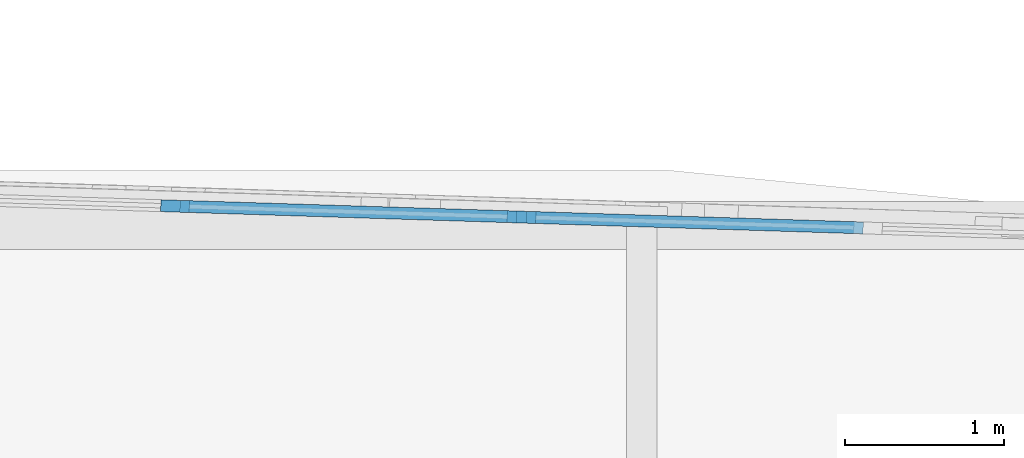
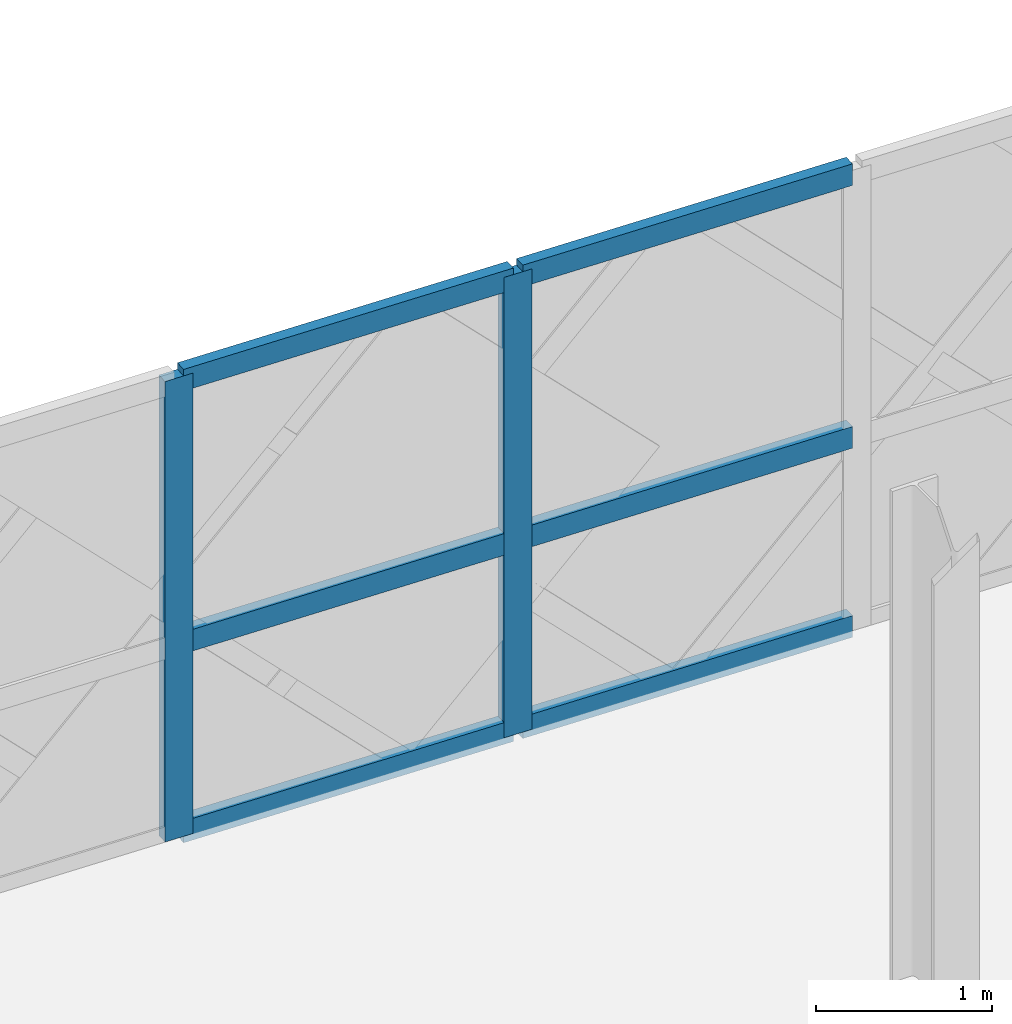
# One storey, part 11 of 26: 8 members, 1 element without a shape of its own.
"""IFC4 building model written with IfcOpenShell, lengths in metres."""

from ifc_helpers import new_model, si_unit, direction, frame, origin, origin_2d, place, context, subcontext, project, spatial, rectangle, extrude, material, layer, layer_set, material_profile, profile_set, type_object, element, aggregate, save


model = new_model("IFC4")

# Units and contexts
model_context = context("Model", 3, precision=1e-05, world=origin(), true_north=direction((0.0, 1.0)))
body_context = subcontext(model_context, "Body", "Model", "MODEL_VIEW")
ifc_project = project(units=[si_unit("LENGTHUNIT", "METRE"), si_unit("AREAUNIT", "SQUARE_METRE"), si_unit("VOLUMEUNIT", "CUBIC_METRE"), si_unit("PLANEANGLEUNIT", "RADIAN"), si_unit("MASSUNIT", "GRAM", prefix="KILO")], contexts=[model_context])

# Site, building, storey
site_placement = place(None, origin())
site = spatial("IfcSite", under=ifc_project, at=site_placement, CompositionType="ELEMENT")
building_placement = place(site_placement, origin())
building = spatial("IfcBuilding", under=site, at=building_placement, Name="Zevrakil Square Congress Hotel", CompositionType="ELEMENT")
storey_placement = place(building_placement, frame((0.0, 0.0, 24.89990234375)))
storey = spatial("IfcBuildingStorey", under=building, at=storey_placement, Name="L07", CompositionType="ELEMENT", Elevation=24.89990234375)

# Curtain wall, members
ifc_material_1 = material(Name="Aluminium Anodised Bronze", Category="aluminium")
ifc_layer = layer(ifc_material_1, 0.179931640625)
ifc_layer_set = layer_set([ifc_layer], Name="Aluminium Anodised Bronze")
curtain_wall_type = type_object("IfcCurtainWallType", Name="CW-L07-900", PredefinedType="USERDEFINED", material=ifc_layer_set)
curtain_wall_placement = place(storey_placement, origin())
curtain_wall = element("IfcCurtainWall", 1, at=curtain_wall_placement, inside=storey, type_object=curtain_wall_type, Name="L07 diamond curtain wall CW-L07-0226", ObjectType="GLAZED CURTAIN WALL", PredefinedType="USERDEFINED")
ifc_material_2 = material(Name="Aluminium Anodised Bronze", Category="aluminium")
ifc_material_profile_1 = material_profile(ifc_material_2, rectangle(XDim=0.074951171875, YDim=0.14990234375, at=origin_2d()), Name="ALU 75x150")
ifc_profile_set_1 = profile_set([ifc_material_profile_1], Name="Aluminium Anodised Bronze")
member_type_1 = type_object("IfcMemberType", Name="CWM-ALU75x150", PredefinedType="USERDEFINED", material=ifc_profile_set_1)
member_1_placement = place(storey_placement, frame((150.1953125, 48.98486328125, 0.030029296875), z_axis=(-0.999500114685, 0.031615198015, 0.0), x_axis=(-0.031615198015, -0.999500114685, 0.0)))
member_1 = element("IfcMember", 2, at=member_1_placement, type_object=member_type_1, Name="CW-84 transom 2.1", ObjectType="TRANSOM", PredefinedType="USERDEFINED", context=body_context, shape_type="SweptSolid", body=[
    extrude(rectangle(XDim=0.074951171875, YDim=0.14990234375, at=origin_2d()), origin(), (0.0, 0.0, 1.0), 2.12353515625),
])
member_2_placement = place(storey_placement, frame((150.1953125, 48.98486328125, 1.33984375), z_axis=(-0.999500114685, 0.031615198015, 0.0), x_axis=(-0.031615198015, -0.999500114685, 0.0)))
member_2 = element("IfcMember", 3, at=member_2_placement, type_object=member_type_1, Name="CW-84 transom 2.2", ObjectType="TRANSOM", PredefinedType="USERDEFINED", context=body_context, shape_type="SweptSolid", body=[
    extrude(rectangle(XDim=0.074951171875, YDim=0.14990234375, at=origin_2d()), origin(), (0.0, 0.0, 1.0), 2.12353515625),
])
member_3_placement = place(storey_placement, frame((150.1953125, 48.98486328125, 3.16015625), z_axis=(-0.999500114685, 0.031615198015, 0.0), x_axis=(-0.031615198015, -0.999500114685, 0.0)))
member_3 = element("IfcMember", 4, at=member_3_placement, type_object=member_type_1, Name="CW-84 transom 2.3", ObjectType="TRANSOM", PredefinedType="USERDEFINED", context=body_context, shape_type="SweptSolid", body=[
    extrude(rectangle(XDim=0.074951171875, YDim=0.14990234375, at=origin_2d()), origin(), (0.0, 0.0, 1.0), 2.12353515625),
])
member_4_placement = place(storey_placement, frame((148.0126953125, 49.053955078125, 0.030029296875), z_axis=(-0.999500114685, 0.031615198015, 0.0), x_axis=(-0.031615198015, -0.999500114685, 0.0)))
member_4 = element("IfcMember", 5, at=member_4_placement, type_object=member_type_1, Name="CW-84 transom 3.1", ObjectType="TRANSOM", PredefinedType="USERDEFINED", context=body_context, shape_type="SweptSolid", body=[
    extrude(rectangle(XDim=0.074951171875, YDim=0.14990234375, at=origin_2d()), origin(), (0.0, 0.0, 1.0), 2.12353515625),
])
member_5_placement = place(storey_placement, frame((148.0126953125, 49.053955078125, 1.33984375), z_axis=(-0.999500114685, 0.031615198015, 0.0), x_axis=(-0.031615198015, -0.999500114685, 0.0)))
member_5 = element("IfcMember", 6, at=member_5_placement, type_object=member_type_1, Name="CW-84 transom 3.2", ObjectType="TRANSOM", PredefinedType="USERDEFINED", context=body_context, shape_type="SweptSolid", body=[
    extrude(rectangle(XDim=0.074951171875, YDim=0.14990234375, at=origin_2d()), origin(), (0.0, 0.0, 1.0), 2.12353515625),
])
member_6_placement = place(storey_placement, frame((148.0126953125, 49.053955078125, 3.16015625), z_axis=(-0.999500114685, 0.031615198015, 0.0), x_axis=(-0.031615198015, -0.999500114685, 0.0)))
member_6 = element("IfcMember", 7, at=member_6_placement, type_object=member_type_1, Name="CW-84 transom 3.3", ObjectType="TRANSOM", PredefinedType="USERDEFINED", context=body_context, shape_type="SweptSolid", body=[
    extrude(rectangle(XDim=0.074951171875, YDim=0.14990234375, at=origin_2d()), origin(), (0.0, 0.0, 1.0), 2.12353515625),
])
ifc_material_3 = material(Name="Aluminium Anodised Bronze", Category="aluminium")
ifc_material_profile_2 = material_profile(ifc_material_3, rectangle(XDim=0.074951171875, YDim=0.179931640625, at=origin_2d()), Name="ALU 75x180")
ifc_profile_set_2 = profile_set([ifc_material_profile_2], Name="Aluminium Anodised Bronze")
member_type_2 = type_object("IfcMemberType", Name="CWM-ALU75x180", PredefinedType="MULLION", material=ifc_profile_set_2)
member_7_placement = place(storey_placement, frame((148.042724609375, 49.052978515625, 0.0), z_axis=(0.0, 0.0, 1.0), x_axis=(-0.031598464383, -0.999500643846, 0.0)))
member_7 = element("IfcMember", 8, at=member_7_placement, type_object=member_type_2, Name="CW-84 mullion 3", PredefinedType="MULLION", context=body_context, shape_type="SweptSolid", body=[
    extrude(rectangle(XDim=0.074951171875, YDim=0.179931640625, at=origin_2d()), origin(), (0.0, 0.0, 1.0), 3.190185546875),
])
member_8_placement = place(storey_placement, frame((145.860107421875, 49.1220703125, 0.0), z_axis=(0.0, 0.0, 1.0), x_axis=(-0.031598464383, -0.999500643846, 0.0)))
member_8 = element("IfcMember", 9, at=member_8_placement, type_object=member_type_2, Name="CW-84 mullion 4", PredefinedType="MULLION", context=body_context, shape_type="SweptSolid", body=[
    extrude(rectangle(XDim=0.074951171875, YDim=0.179931640625, at=origin_2d()), origin(), (0.0, 0.0, 1.0), 3.190185546875),
])
aggregate(curtain_wall, [member_7, member_8, member_1, member_2, member_3, member_4, member_5, member_6])

save(model, "model.ifc")
